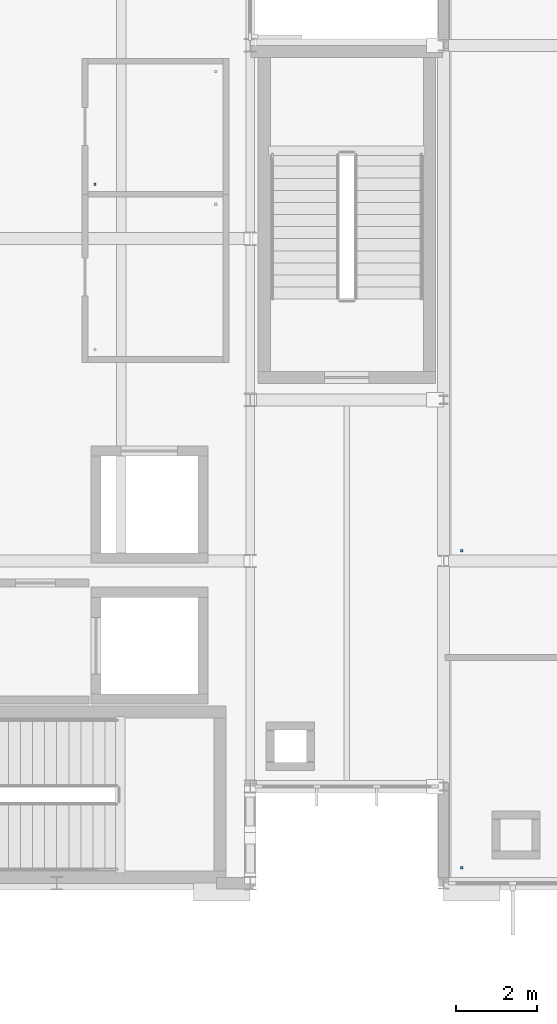
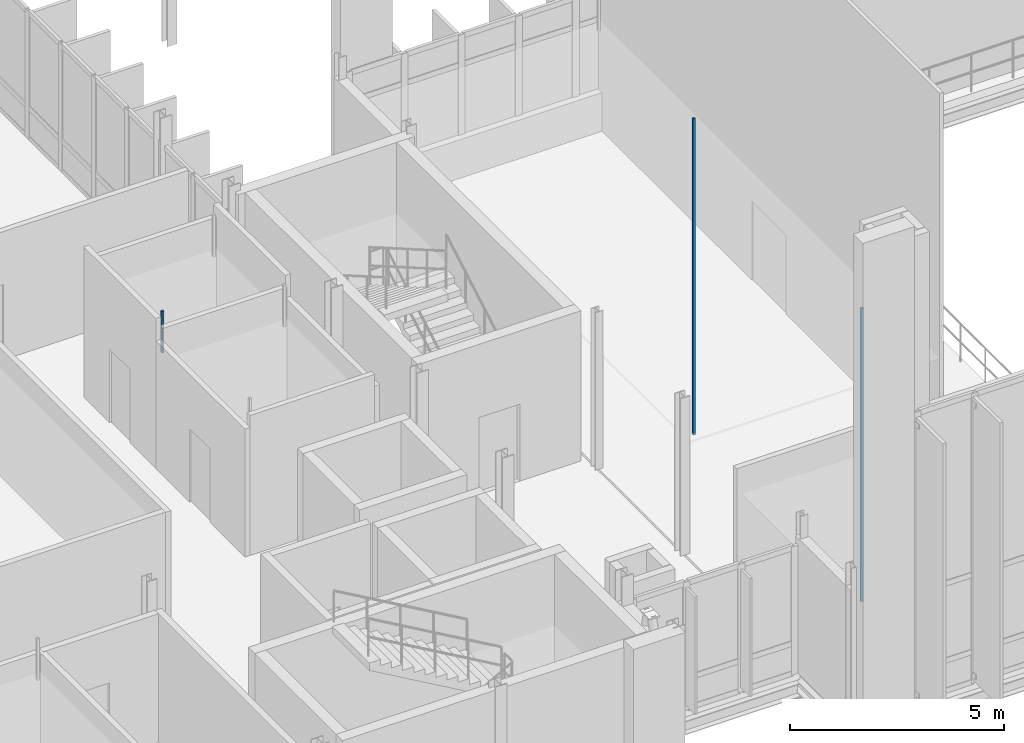
# One storey, part 28 of 41: 3 discrete accessories.
"""IFC4 building model written with IfcOpenShell, lengths in metres."""

from ifc_helpers import new_model, si_unit, direction, frame, origin, place, context, subcontext, project, spatial, polyline, outline, extrude, material, type_object, element, save


model = new_model("IFC4")

# Units and contexts
model_context = context("Model", 3, precision=1e-05, world=origin(), true_north=direction((0.0, 1.0)))
body_context = subcontext(model_context, "Body", "Model", "MODEL_VIEW")
ifc_project = project(units=[si_unit("LENGTHUNIT", "METRE"), si_unit("AREAUNIT", "SQUARE_METRE"), si_unit("VOLUMEUNIT", "CUBIC_METRE"), si_unit("PLANEANGLEUNIT", "RADIAN"), si_unit("MASSUNIT", "GRAM", prefix="KILO")], contexts=[model_context])

# Site, building, storey
site_placement = place(None, origin())
site = spatial("IfcSite", under=ifc_project, at=site_placement, CompositionType="ELEMENT")
building_placement = place(site_placement, origin())
building = spatial("IfcBuilding", under=site, at=building_placement, Name="Dunescarp Central Library", CompositionType="ELEMENT")
storey_placement = place(building_placement, frame((0.0, 0.0, 23.10009765625)))
storey = spatial("IfcBuildingStorey", under=building, at=storey_placement, Name="L05", CompositionType="ELEMENT", Elevation=23.10009765625)

# Discrete accessories
ifc_material = material(Name="Stainless steel Grade 316L", Category="steel")
discrete_accessory_type = type_object("IfcDiscreteAccessoryType", Name="ARC-ACC-BRK", PredefinedType="BRACKET", material=ifc_material)
discrete_accessory_1_placement = place(storey_placement, frame((0.0, 0.0, 3.059814453125)))
element("IfcDiscreteAccessory", 1, at=discrete_accessory_1_placement, inside=storey, type_object=discrete_accessory_type, Name="L05 ceiling hanger CLG-L05-037-H1", PredefinedType="BRACKET", context=body_context, shape_type="SweptSolid", body=[
    extrude(outline(polyline([(29.719970703125, 22.1201171875), (29.780029296875, 22.1201171875), (29.780029296875, 22.179931640625), (29.719970703125, 22.179931640625), (29.719970703125, 22.1201171875)])), origin(), (0.0, 0.0, 1.0), 1.190185546875),
])
discrete_accessory_2_placement = place(storey_placement, frame((0.0, 0.0, 3.059814453125)))
element("IfcDiscreteAccessory", 2, at=discrete_accessory_2_placement, inside=storey, type_object=discrete_accessory_type, Name="L05 ceiling hanger CLG-L05-084-H1", PredefinedType="BRACKET", context=body_context, shape_type="SweptSolid", body=[
    extrude(outline(polyline([(38.820068359375, 5.159912109375), (38.8798828125, 5.159912109375), (38.8798828125, 5.219970703125), (38.820068359375, 5.219970703125), (38.820068359375, 5.159912109375)])), origin(), (0.0, 0.0, 1.0), 8.373046875),
])
discrete_accessory_3_placement = place(storey_placement, frame((0.0, 0.0, 3.059814453125)))
element("IfcDiscreteAccessory", 3, at=discrete_accessory_3_placement, inside=storey, type_object=discrete_accessory_type, Name="L05 ceiling hanger CLG-L05-087-H1", PredefinedType="BRACKET", context=body_context, shape_type="SweptSolid", body=[
    extrude(outline(polyline([(38.820068359375, 13.02001953125), (38.8798828125, 13.02001953125), (38.8798828125, 13.080078125), (38.820068359375, 13.080078125), (38.820068359375, 13.02001953125)])), origin(), (0.0, 0.0, 1.0), 9.023193359375),
])

save(model, "model.ifc")
